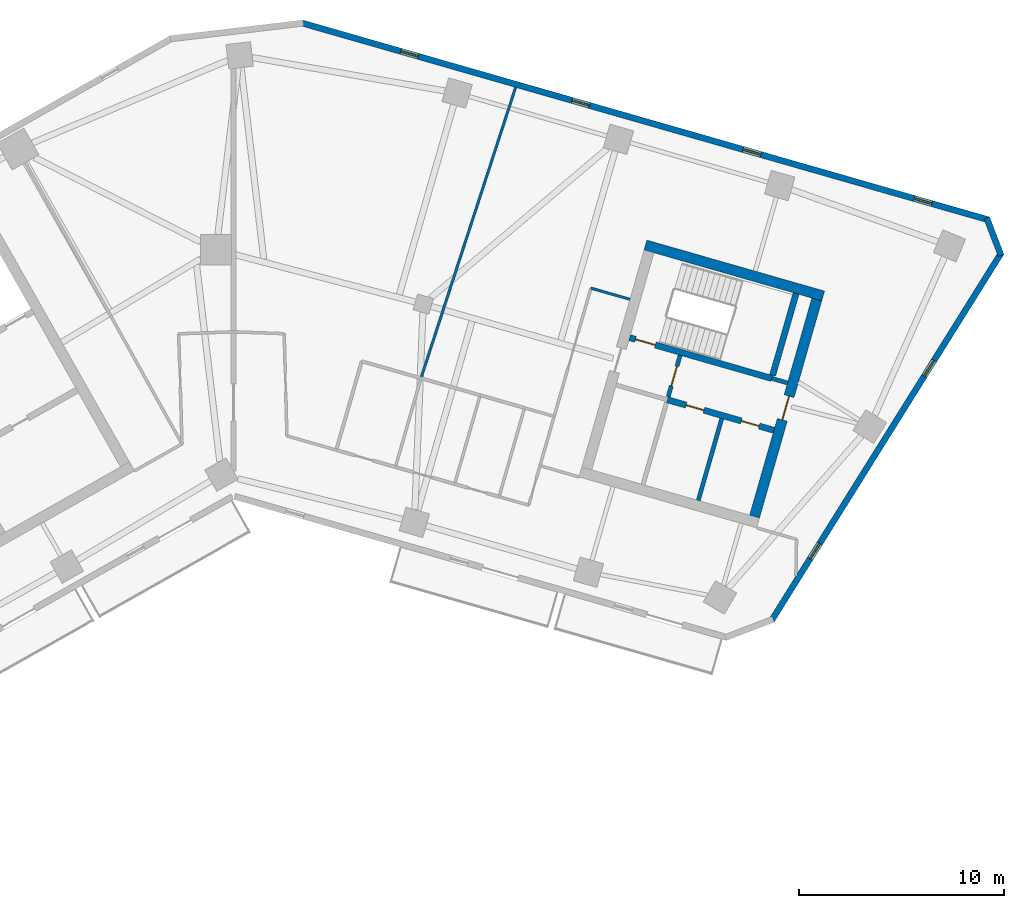
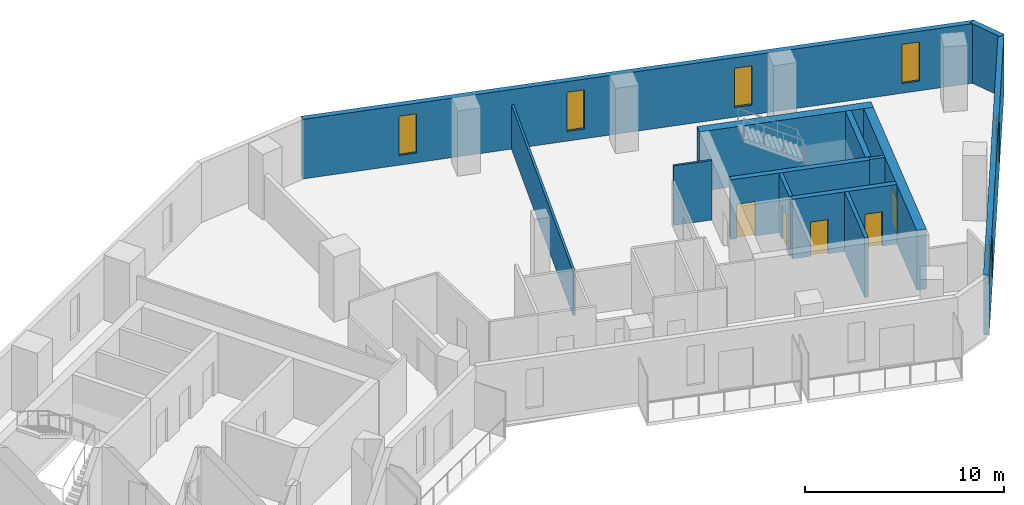
# One storey, part 6 of 9: 13 walls, 6 windows, 5 doors, 11 openings.
"""IFC4 building model written with IfcOpenShell, lengths in metres."""

from ifc_helpers import new_model, si_unit, direction, frame, frame_2d, origin, place, context, subcontext, project, spatial, rectangle, extrude, material, layer, layer_set, type_object, element, fill, save


model = new_model("IFC4")

# Units and contexts
model_context = context("Model", 3, precision=1e-05, world=origin(), true_north=direction((0.0, 1.0)))
body_context = subcontext(model_context, "Body", "Model", "MODEL_VIEW")
ifc_project = project(units=[si_unit("LENGTHUNIT", "METRE"), si_unit("AREAUNIT", "SQUARE_METRE"), si_unit("VOLUMEUNIT", "CUBIC_METRE"), si_unit("PLANEANGLEUNIT", "RADIAN"), si_unit("MASSUNIT", "GRAM", prefix="KILO")], contexts=[model_context])

# Site, building, storey
site_placement = place(None, origin())
site = spatial("IfcSite", under=ifc_project, at=site_placement, CompositionType="ELEMENT")
building_placement = place(site_placement, origin())
building = spatial("IfcBuilding", under=site, at=building_placement, Name="Binnacle Exchange Tower", CompositionType="ELEMENT")
storey_placement = place(building_placement, frame((0.0, 0.0, 198.89990234375)))
storey = spatial("IfcBuildingStorey", under=building, at=storey_placement, Name="L43", CompositionType="ELEMENT", Elevation=198.89990234375)

# Wall
ifc_material_1 = material(Name="Gypsum partition fire rated")
ifc_layer_1 = layer(ifc_material_1, 0.199951171875)
ifc_layer_set_1 = layer_set([ifc_layer_1], Name="Core partition 200")
wall_type_1 = type_object("IfcWallType", Name="Core partition 200", PredefinedType="PARTITIONING", material=ifc_layer_set_1)
wall_1_placement = place(storey_placement, frame((22.63720703125, 47.787353515625, 0.0), z_axis=(0.0, 0.0, 1.0), x_axis=(0.275614546295, 0.961268236171, 0.0)))
element("IfcWall", 1, at=wall_1_placement, inside=storey, type_object=wall_type_1, Name="Core wall CRWD10", PredefinedType="PARTITIONING", context=body_context, shape_type="SweptSolid", body=[
    extrude(rectangle(XDim=4.14990234375, YDim=0.199951171875, at=frame_2d((2.074951171875, 0.0))), origin(), (0.0, 0.0, 1.0), 3.650146484375),
])

# Wall, openings, doors
ifc_material_2 = material(Name="Concrete C70/85", Category="concrete")
ifc_layer_2 = layer(ifc_material_2, 0.300048828125)
ifc_layer_set_2 = layer_set([ifc_layer_2], Name="Core wall - front 300")
wall_type_2 = type_object("IfcWallType", Name="Core wall - front 300", PredefinedType="SOLIDWALL", material=ifc_layer_set_2)
wall_2_placement = place(storey_placement, frame((21.130859375, 52.6923828125, 0.0), z_axis=(0.0, 0.0, 1.0), x_axis=(0.961271043721, -0.27560475414, 0.0)))
wall_2 = element("IfcWall", 2, at=wall_2_placement, inside=storey, type_object=wall_type_2, Name="Core wall CRWD3", PredefinedType="SOLIDWALL", context=body_context, shape_type="SweptSolid", body=[
    extrude(rectangle(XDim=5.400146484375, YDim=0.300048828125, at=frame_2d((2.7001953125, 0.0))), origin(), (0.0, 0.0, 1.0), 3.650146484375),
])
opening_1_placement = place(wall_2_placement, frame((0.949951171875, 0.0, 0.0)))
opening_1 = element("IfcOpeningElement", 3, at=opening_1_placement, cuts=wall_2, Name="Opening DD10", PredefinedType="OPENING", context=body_context, shape_type="SweptSolid", body=[
    extrude(rectangle(XDim=0.89990234375, YDim=2.10009765625, at=frame_2d((0.449951171875, 1.050048828125))), frame((0.0, 0.159912109375, 0.0), z_axis=(0.0, -1.0, 0.0), x_axis=(1.0, 0.0, 0.0)), (0.0, 0.0, 1.0), 0.320068359375),
])
opening_2_placement = place(wall_2_placement, frame((3.75, 0.0, 0.0)))
opening_2 = element("IfcOpeningElement", 4, at=opening_2_placement, cuts=wall_2, Name="Opening DD11", PredefinedType="OPENING", context=body_context, shape_type="SweptSolid", body=[
    extrude(rectangle(XDim=0.89990234375, YDim=2.10009765625, at=frame_2d((0.449951171875, 1.050048828125))), frame((0.0, 0.159912109375, 0.0), z_axis=(0.0, -1.0, 0.0), x_axis=(1.0, 0.0, 0.0)), (0.0, 0.0, 1.0), 0.320068359375),
])
ifc_material_3 = material(Name="Steel door leaf", Category="steel")
door_type_1 = type_object("IfcDoorType", Name="Fire door 900", OperationType="NOTDEFINED", PredefinedType="DOOR", material=ifc_material_3)
door_1_placement = place(opening_1_placement, frame((0.89990234375, 0.0, 0.0), z_axis=(0.0, 0.0, 1.0), x_axis=(-1.0, 0.0, 0.0)))
door_1 = element("IfcDoor", 5, at=door_1_placement, inside=storey, type_object=door_type_1, Name="Core room door FIBRE ENTRY ROOM", OperationType="SINGLE_SWING_RIGHT", OverallHeight=2.10009765625, OverallWidth=0.89990234375, PredefinedType="DOOR", context=body_context, shape_type="SweptSolid", body=[
    extrude(rectangle(XDim=0.89990234375, YDim=2.10009765625, at=frame_2d((0.449951171875, 1.050048828125))), frame((0.0, 0.02490234375, 0.0), z_axis=(0.0, -1.0, 0.0), x_axis=(1.0, 0.0, 0.0)), (0.0, 0.0, 1.0), 0.050048828125),
])
fill(opening_1, door_1)
door_2_placement = place(opening_2_placement, frame((0.89990234375, 0.0, 0.0), z_axis=(0.0, 0.0, 1.0), x_axis=(-1.0, 0.0, 0.0)))
door_2 = element("IfcDoor", 6, at=door_2_placement, inside=storey, type_object=door_type_1, Name="Core room door ELECTRICAL ROOM", OperationType="SINGLE_SWING_LEFT", OverallHeight=2.10009765625, OverallWidth=0.89990234375, PredefinedType="DOOR", context=body_context, shape_type="SweptSolid", body=[
    extrude(rectangle(XDim=0.89990234375, YDim=2.10009765625, at=frame_2d((0.449951171875, 1.050048828125))), frame((0.0, 0.02490234375, 0.0), z_axis=(0.0, -1.0, 0.0), x_axis=(1.0, 0.0, 0.0)), (0.0, 0.0, 1.0), 0.050048828125),
])
fill(opening_2, door_2)

# Wall
ifc_layer_3 = layer(ifc_material_2, 0.5)
ifc_layer_set_3 = layer_set([ifc_layer_3], Name="Core wall - outer 500")
wall_type_3 = type_object("IfcWallType", Name="Core wall - outer 500", PredefinedType="SOLIDWALL", material=ifc_layer_set_3)
wall_3_placement = place(storey_placement, frame((20.066650390625, 60.227783203125, 0.0), z_axis=(0.0, 0.0, 1.0), x_axis=(0.96126248289, -0.275634611374, 0.0)))
element("IfcWall", 7, at=wall_3_placement, inside=storey, type_object=wall_type_3, Name="Core wall CRWD6", PredefinedType="SOLIDWALL", context=body_context, shape_type="SweptSolid", body=[
    extrude(rectangle(XDim=9.0, YDim=0.5, at=frame_2d((4.5, 0.0))), origin(), (0.0, 0.0, 1.0), 3.650146484375),
])

# Wall, opening, door
wall_4_placement = place(storey_placement, frame((25.376708984375, 47.001708984375, 0.0), z_axis=(0.0, 0.0, 1.0), x_axis=(0.275632651182, 0.961263044958, 0.0)))
wall_4 = element("IfcWall", 8, at=wall_4_placement, inside=storey, type_object=wall_type_3, Name="Core wall CRWD12", PredefinedType="SOLIDWALL", context=body_context, shape_type="SweptSolid", body=[
    extrude(rectangle(XDim=11.0, YDim=0.5, at=frame_2d((5.5, 0.0))), origin(), (0.0, 0.0, 1.0), 3.650146484375),
])
opening_3_placement = place(wall_4_placement, frame((4.89990234375, 0.0, 0.0)))
opening_3 = element("IfcOpeningElement", 9, at=opening_3_placement, cuts=wall_4, Name="Opening DD6", PredefinedType="OPENING", context=body_context, shape_type="SweptSolid", body=[
    extrude(rectangle(XDim=1.199951171875, YDim=2.10009765625, at=frame_2d((0.60009765625, 1.050048828125))), frame((0.0, 0.260009765625, 0.0), z_axis=(0.0, -1.0, 0.0), x_axis=(1.0, 0.0, 0.0)), (0.0, 0.0, 1.0), 0.52001953125),
])
door_type_2 = type_object("IfcDoorType", Name="Fire door 1200", OperationType="NOTDEFINED", PredefinedType="DOOR", material=ifc_material_3)
door_3_placement = place(opening_3_placement, frame((1.199951171875, 0.0, 0.0), z_axis=(0.0, 0.0, 1.0), x_axis=(-1.0, 0.0, 0.0)))
door_3 = element("IfcDoor", 10, at=door_3_placement, inside=storey, type_object=door_type_2, Name="Core passage exit door", OperationType="SINGLE_SWING_RIGHT", OverallHeight=2.10009765625, OverallWidth=1.199951171875, PredefinedType="DOOR", context=body_context, shape_type="SweptSolid", body=[
    extrude(rectangle(XDim=1.199951171875, YDim=2.10009765625, at=frame_2d((0.60009765625, 1.050048828125))), frame((0.0, 0.02490234375, 0.0), z_axis=(0.0, -1.0, 0.0), x_axis=(1.0, 0.0, 0.0)), (0.0, 0.0, 1.0), 0.050048828125),
])
fill(opening_3, door_3)

ifc_layer_4 = layer(ifc_material_2, 0.300048828125)
ifc_layer_set_4 = layer_set([ifc_layer_4], Name="Core wall - stair 300")
wall_type_4 = type_object("IfcWallType", Name="Core wall - stair 300", PredefinedType="SOLIDWALL", material=ifc_layer_set_4)
wall_5_placement = place(storey_placement, frame((19.293212890625, 55.71630859375, 0.0), z_axis=(0.0, 0.0, 1.0), x_axis=(0.96125862491, -0.275648065539, 0.0)))
wall_5 = element("IfcWall", 11, at=wall_5_placement, inside=storey, type_object=wall_type_4, Name="Core wall CRWD4", PredefinedType="SOLIDWALL", context=body_context, shape_type="SweptSolid", body=[
    extrude(rectangle(XDim=7.199951171875, YDim=0.300048828125, at=frame_2d((3.60009765625, 0.0))), origin(), (0.0, 0.0, 1.0), 3.650146484375),
])
opening_4_placement = place(wall_5_placement, frame((0.300048828125, 0.0, 0.0)))
opening_4 = element("IfcOpeningElement", 12, at=opening_4_placement, cuts=wall_5, Name="Opening DD1", PredefinedType="OPENING", context=body_context, shape_type="SweptSolid", body=[
    extrude(rectangle(XDim=1.0, YDim=2.10009765625, at=frame_2d((0.5, 1.050048828125))), frame((0.0, 0.159912109375, 0.0), z_axis=(0.0, -1.0, 0.0), x_axis=(1.0, 0.0, 0.0)), (0.0, 0.0, 1.0), 0.320068359375),
])
door_type_3 = type_object("IfcDoorType", Name="Fire door 1000", OperationType="NOTDEFINED", PredefinedType="DOOR", material=ifc_material_3)
door_4_placement = place(opening_4_placement, origin())
door_4 = element("IfcDoor", 13, at=door_4_placement, inside=storey, type_object=door_type_3, Name="Stair door ST-D1", OperationType="SINGLE_SWING_LEFT", OverallHeight=2.10009765625, OverallWidth=1.0, PredefinedType="DOOR", context=body_context, shape_type="SweptSolid", body=[
    extrude(rectangle(XDim=1.0, YDim=2.10009765625, at=frame_2d((0.5, 1.050048828125))), frame((0.0, 0.02490234375, 0.0), z_axis=(0.0, -1.0, 0.0), x_axis=(1.0, 0.0, 0.0)), (0.0, 0.0, 1.0), 0.050048828125),
])
fill(opening_4, door_4)

# Wall
wall_6_placement = place(storey_placement, frame((26.255615234375, 53.875732421875, 0.0), z_axis=(0.0, 0.0, 1.0), x_axis=(0.275614546295, 0.961268236171, 0.0)))
element("IfcWall", 14, at=wall_6_placement, inside=storey, type_object=wall_type_4, Name="Core wall CRWD11", PredefinedType="SOLIDWALL", context=body_context, shape_type="SweptSolid", body=[
    extrude(rectangle(XDim=4.14990234375, YDim=0.300048828125, at=frame_2d((2.074951171875, 0.0))), origin(), (0.0, 0.0, 1.0), 3.650146484375),
])

# Wall, openings, windows
ifc_material_4 = material(Name="Bronze aluminium cladding", Category="aluminium")
ifc_layer_5 = layer(ifc_material_4, 0.300048828125)
ifc_layer_set_5 = layer_set([ifc_layer_5], Name="External wall - spandrel 300")
wall_type_5 = type_object("IfcWallType", Name="External wall - spandrel 300", PredefinedType="STANDARD", material=ifc_layer_set_5)
wall_7_placement = place(storey_placement, frame((37.39892578125, 59.850830078125, 0.0), z_axis=(0.0, 0.0, 1.0), x_axis=(-0.529919986982, -0.848047644532, 0.0)))
wall_7 = element("IfcWall", 15, at=wall_7_placement, inside=storey, type_object=wall_type_5, Name="External wall EW-G04 L43", PredefinedType="STANDARD", context=body_context, shape_type="SweptSolid", body=[
    extrude(rectangle(XDim=21.125, YDim=0.300048828125, at=frame_2d((10.5625, 0.0))), origin(), (0.0, 0.0, 1.0), 3.650146484375),
])
opening_5_placement = place(wall_7_placement, frame((16.687255859375, 0.0, 0.60009765625)))
opening_5 = element("IfcOpeningElement", 16, at=opening_5_placement, cuts=wall_7, Name="Opening WS3", PredefinedType="OPENING", context=body_context, shape_type="SweptSolid", body=[
    extrude(rectangle(XDim=0.89990234375, YDim=2.39990234375, at=frame_2d((0.449951171875, 1.199951171875))), frame((0.0, 0.159912109375, 0.0), z_axis=(0.0, -1.0, 0.0), x_axis=(1.0, 0.0, 0.0)), (0.0, 0.0, 1.0), 0.320068359375),
])
opening_6_placement = place(wall_7_placement, frame((6.187255859375, 0.0, 0.60009765625)))
opening_6 = element("IfcOpeningElement", 17, at=opening_6_placement, cuts=wall_7, Name="Opening WS3", PredefinedType="OPENING", context=body_context, shape_type="SweptSolid", body=[
    extrude(rectangle(XDim=0.89990234375, YDim=2.39990234375, at=frame_2d((0.449951171875, 1.199951171875))), frame((0.0, 0.159912109375, 0.0), z_axis=(0.0, -1.0, 0.0), x_axis=(1.0, 0.0, 0.0)), (0.0, 0.0, 1.0), 0.320068359375),
])
ifc_material_5 = material(Name="Bronze anodised aluminium frame", Category="aluminium")
window_type = type_object("IfcWindowType", Name="WS3 WINDOW 900x2400", PartitioningType="SINGLE_PANEL", PredefinedType="WINDOW", material=ifc_material_5)
window_1_placement = place(opening_5_placement, origin())
window_1 = element("IfcWindow", 18, at=window_1_placement, inside=storey, type_object=window_type, Name="Window WS3 L43", OverallHeight=2.39990234375, OverallWidth=0.89990234375, PartitioningType="SINGLE_PANEL", PredefinedType="WINDOW", context=body_context, shape_type="SweptSolid", body=[
    extrude(rectangle(XDim=0.89990234375, YDim=2.39990234375, at=frame_2d((0.449951171875, 1.199951171875))), frame((0.0, 0.030029296875, 0.0), z_axis=(0.0, -1.0, 0.0), x_axis=(1.0, 0.0, 0.0)), (0.0, 0.0, 1.0), 0.06005859375),
])
fill(opening_5, window_1)
window_2_placement = place(opening_6_placement, origin())
window_2 = element("IfcWindow", 19, at=window_2_placement, inside=storey, type_object=window_type, Name="Window WS3 L43", OverallHeight=2.39990234375, OverallWidth=0.89990234375, PartitioningType="SINGLE_PANEL", PredefinedType="WINDOW", context=body_context, shape_type="SweptSolid", body=[
    extrude(rectangle(XDim=0.89990234375, YDim=2.39990234375, at=frame_2d((0.449951171875, 1.199951171875))), frame((0.0, 0.030029296875, 0.0), z_axis=(0.0, -1.0, 0.0), x_axis=(1.0, 0.0, 0.0)), (0.0, 0.0, 1.0), 0.06005859375),
])
fill(opening_6, window_2)

# Wall
wall_8_placement = place(storey_placement, frame((36.685546875, 61.542724609375, 0.0), z_axis=(0.0, 0.0, 1.0), x_axis=(0.358284408222, -0.933612490718, 0.0)))
element("IfcWall", 20, at=wall_8_placement, inside=storey, type_object=wall_type_5, Name="External wall EW-G05 L43", PredefinedType="STANDARD", context=body_context, shape_type="SweptSolid", body=[
    extrude(rectangle(XDim=1.955078125, YDim=0.300048828125, at=frame_2d((0.9775390625, 0.0))), origin(), (0.0, 0.0, 1.0), 3.650146484375),
])

# Wall, openings, windows
wall_9_placement = place(storey_placement, frame((3.33544921875, 71.043701171875, 0.0), z_axis=(0.0, 0.0, 1.0), x_axis=(0.961261395375, -0.275638404002, 0.0)))
wall_9 = element("IfcWall", 21, at=wall_9_placement, inside=storey, type_object=wall_type_5, Name="External wall EW-G06 L43", PredefinedType="STANDARD", context=body_context, shape_type="SweptSolid", body=[
    extrude(rectangle(XDim=34.796630859375, YDim=0.300048828125, at=frame_2d((17.3984375, 0.0))), origin(), (0.0, 0.0, 1.0), 3.650146484375),
])
opening_7_placement = place(wall_9_placement, frame((31.01953125, 0.0, 0.60009765625)))
opening_7 = element("IfcOpeningElement", 22, at=opening_7_placement, cuts=wall_9, Name="Opening WS3", PredefinedType="OPENING", context=body_context, shape_type="SweptSolid", body=[
    extrude(rectangle(XDim=0.89990234375, YDim=2.39990234375, at=frame_2d((0.449951171875, 1.199951171875))), frame((0.0, 0.159912109375, 0.0), z_axis=(0.0, -1.0, 0.0), x_axis=(1.0, 0.0, 0.0)), (0.0, 0.0, 1.0), 0.320068359375),
])
opening_8_placement = place(wall_9_placement, frame((22.3466796875, 0.0, 0.60009765625)))
opening_8 = element("IfcOpeningElement", 23, at=opening_8_placement, cuts=wall_9, Name="Opening WS3", PredefinedType="OPENING", context=body_context, shape_type="SweptSolid", body=[
    extrude(rectangle(XDim=0.89990234375, YDim=2.39990234375, at=frame_2d((0.449951171875, 1.199951171875))), frame((0.0, 0.159912109375, 0.0), z_axis=(0.0, -1.0, 0.0), x_axis=(1.0, 0.0, 0.0)), (0.0, 0.0, 1.0), 0.320068359375),
])
opening_9_placement = place(wall_9_placement, frame((13.673583984375, 0.0, 0.60009765625)))
opening_9 = element("IfcOpeningElement", 24, at=opening_9_placement, cuts=wall_9, Name="Opening WS3", PredefinedType="OPENING", context=body_context, shape_type="SweptSolid", body=[
    extrude(rectangle(XDim=0.89990234375, YDim=2.39990234375, at=frame_2d((0.449951171875, 1.199951171875))), frame((0.0, 0.159912109375, 0.0), z_axis=(0.0, -1.0, 0.0), x_axis=(1.0, 0.0, 0.0)), (0.0, 0.0, 1.0), 0.320068359375),
])
opening_10_placement = place(wall_9_placement, frame((5.000732421875, 0.0, 0.60009765625)))
opening_10 = element("IfcOpeningElement", 25, at=opening_10_placement, cuts=wall_9, Name="Opening WS3", PredefinedType="OPENING", context=body_context, shape_type="SweptSolid", body=[
    extrude(rectangle(XDim=0.89990234375, YDim=2.39990234375, at=frame_2d((0.449951171875, 1.199951171875))), frame((0.0, 0.159912109375, 0.0), z_axis=(0.0, -1.0, 0.0), x_axis=(1.0, 0.0, 0.0)), (0.0, 0.0, 1.0), 0.320068359375),
])
window_3_placement = place(opening_7_placement, origin())
window_3 = element("IfcWindow", 26, at=window_3_placement, inside=storey, type_object=window_type, Name="Window WS3 L43", OverallHeight=2.39990234375, OverallWidth=0.89990234375, PartitioningType="SINGLE_PANEL", PredefinedType="WINDOW", context=body_context, shape_type="SweptSolid", body=[
    extrude(rectangle(XDim=0.89990234375, YDim=2.39990234375, at=frame_2d((0.449951171875, 1.199951171875))), frame((0.0, 0.030029296875, 0.0), z_axis=(0.0, -1.0, 0.0), x_axis=(1.0, 0.0, 0.0)), (0.0, 0.0, 1.0), 0.06005859375),
])
fill(opening_7, window_3)
window_4_placement = place(opening_8_placement, origin())
window_4 = element("IfcWindow", 27, at=window_4_placement, inside=storey, type_object=window_type, Name="Window WS3 L43", OverallHeight=2.39990234375, OverallWidth=0.89990234375, PartitioningType="SINGLE_PANEL", PredefinedType="WINDOW", context=body_context, shape_type="SweptSolid", body=[
    extrude(rectangle(XDim=0.89990234375, YDim=2.39990234375, at=frame_2d((0.449951171875, 1.199951171875))), frame((0.0, 0.030029296875, 0.0), z_axis=(0.0, -1.0, 0.0), x_axis=(1.0, 0.0, 0.0)), (0.0, 0.0, 1.0), 0.06005859375),
])
fill(opening_8, window_4)
window_5_placement = place(opening_9_placement, origin())
window_5 = element("IfcWindow", 28, at=window_5_placement, inside=storey, type_object=window_type, Name="Window WS3 L43", OverallHeight=2.39990234375, OverallWidth=0.89990234375, PartitioningType="SINGLE_PANEL", PredefinedType="WINDOW", context=body_context, shape_type="SweptSolid", body=[
    extrude(rectangle(XDim=0.89990234375, YDim=2.39990234375, at=frame_2d((0.449951171875, 1.199951171875))), frame((0.0, 0.030029296875, 0.0), z_axis=(0.0, -1.0, 0.0), x_axis=(1.0, 0.0, 0.0)), (0.0, 0.0, 1.0), 0.06005859375),
])
fill(opening_9, window_5)
window_6_placement = place(opening_10_placement, origin())
window_6 = element("IfcWindow", 29, at=window_6_placement, inside=storey, type_object=window_type, Name="Window WS3 L43", OverallHeight=2.39990234375, OverallWidth=0.89990234375, PartitioningType="SINGLE_PANEL", PredefinedType="WINDOW", context=body_context, shape_type="SweptSolid", body=[
    extrude(rectangle(XDim=0.89990234375, YDim=2.39990234375, at=frame_2d((0.449951171875, 1.199951171875))), frame((0.0, 0.030029296875, 0.0), z_axis=(0.0, -1.0, 0.0), x_axis=(1.0, 0.0, 0.0)), (0.0, 0.0, 1.0), 0.06005859375),
])
fill(opening_10, window_6)

# Wall, opening, door
ifc_material_6 = material(Name="Masonry block wall", Category="masonry")
ifc_layer_6 = layer(ifc_material_6, 0.199951171875)
ifc_layer_set_6 = layer_set([ifc_layer_6], Name="Fire wall - vestibule 200")
wall_type_6 = type_object("IfcWallType", Name="Fire wall - vestibule 200", PredefinedType="PARTITIONING", material=ifc_layer_set_6)
wall_10_placement = place(storey_placement, frame((21.172119140625, 52.836669921875, 0.0), z_axis=(0.0, 0.0, 1.0), x_axis=(0.275657676022, 0.961255868981, 0.0)))
wall_10 = element("IfcWall", 30, at=wall_10_placement, inside=storey, type_object=wall_type_6, Name="Core wall CRWD9", PredefinedType="PARTITIONING", context=body_context, shape_type="SweptSolid", body=[
    extrude(rectangle(XDim=2.099853515625, YDim=0.199951171875, at=frame_2d((1.0498046875, 0.0))), origin(), (0.0, 0.0, 1.0), 3.650146484375),
])
opening_11_placement = place(wall_10_placement, frame((0.550048828125, 0.0, 0.0)))
opening_11 = element("IfcOpeningElement", 31, at=opening_11_placement, cuts=wall_10, Name="Opening DD3", PredefinedType="OPENING", context=body_context, shape_type="SweptSolid", body=[
    extrude(rectangle(XDim=1.0, YDim=2.10009765625, at=frame_2d((0.5, 1.050048828125))), frame((0.0, 0.10986328125, 0.0), z_axis=(0.0, -1.0, 0.0), x_axis=(1.0, 0.0, 0.0)), (0.0, 0.0, 1.0), 0.219970703125),
])
door_5_placement = place(opening_11_placement, origin())
door_5 = element("IfcDoor", 32, at=door_5_placement, inside=storey, type_object=door_type_3, Name="Vestibule door VEST-W", OperationType="SINGLE_SWING_RIGHT", OverallHeight=2.10009765625, OverallWidth=1.0, PredefinedType="DOOR", context=body_context, shape_type="SweptSolid", body=[
    extrude(rectangle(XDim=1.0, YDim=2.10009765625, at=frame_2d((0.5, 1.050048828125))), frame((0.0, 0.02490234375, 0.0), z_axis=(0.0, -1.0, 0.0), x_axis=(1.0, 0.0, 0.0)), (0.0, 0.0, 1.0), 0.050048828125),
])
fill(opening_11, door_5)

# Walls
ifc_material_7 = material(Name="Gypsum partition")
ifc_layer_7 = layer(ifc_material_7, 0.125)
ifc_layer_set_7 = layer_set([ifc_layer_7], Name="Partition 125")
wall_type_7 = type_object("IfcWallType", Name="Partition 125", PredefinedType="PARTITIONING", material=ifc_layer_set_7)
wall_11_placement = place(storey_placement, frame((9.12890625, 53.740966796875, 0.0), z_axis=(0.0, 0.0, 1.0), x_axis=(0.309576741849, 0.950874461171, 0.0)))
element("IfcWall", 33, at=wall_11_placement, inside=storey, type_object=wall_type_7, Name="Partition W19", PredefinedType="PARTITIONING", context=body_context, shape_type="SweptSolid", body=[
    extrude(rectangle(XDim=14.894775390625, YDim=0.125, at=frame_2d((7.447265625, 0.0))), origin(), (0.0, 0.0, 1.0), 2.718017578125),
])
wall_12_placement = place(storey_placement, frame((17.408935546875, 58.12890625, 0.0), z_axis=(0.0, 0.0, 1.0), x_axis=(0.961253165474, -0.275667103345, 0.0)))
element("IfcWall", 34, at=wall_12_placement, inside=storey, type_object=wall_type_7, Name="Partition W30", PredefinedType="PARTITIONING", context=body_context, shape_type="SweptSolid", body=[
    extrude(rectangle(XDim=1.976806640625, YDim=0.125, at=frame_2d((0.98828125, 0.0))), origin(), (0.0, 0.0, 1.0), 3.650146484375),
])
ifc_layer_8 = layer(ifc_material_6, 0.199951171875)
ifc_layer_set_8 = layer_set([ifc_layer_8], Name="Riser wall 200")
wall_type_8 = type_object("IfcWallType", Name="Riser wall 200", PredefinedType="SOLIDWALL", material=ifc_layer_set_8)
wall_13_placement = place(storey_placement, frame((26.214111328125, 53.731689453125, 0.0), z_axis=(0.0, 0.0, 1.0), x_axis=(0.961200870072, -0.275849392554, 0.0)))
element("IfcWall", 35, at=wall_13_placement, inside=storey, type_object=wall_type_8, Name="Core wall CRWD5", PredefinedType="SOLIDWALL", context=body_context, shape_type="SweptSolid", body=[
    extrude(rectangle(XDim=0.800048828125, YDim=0.199951171875, at=frame_2d((0.39990234375, 0.0))), origin(), (0.0, 0.0, 1.0), 3.650146484375),
])

save(model, "model.ifc")
